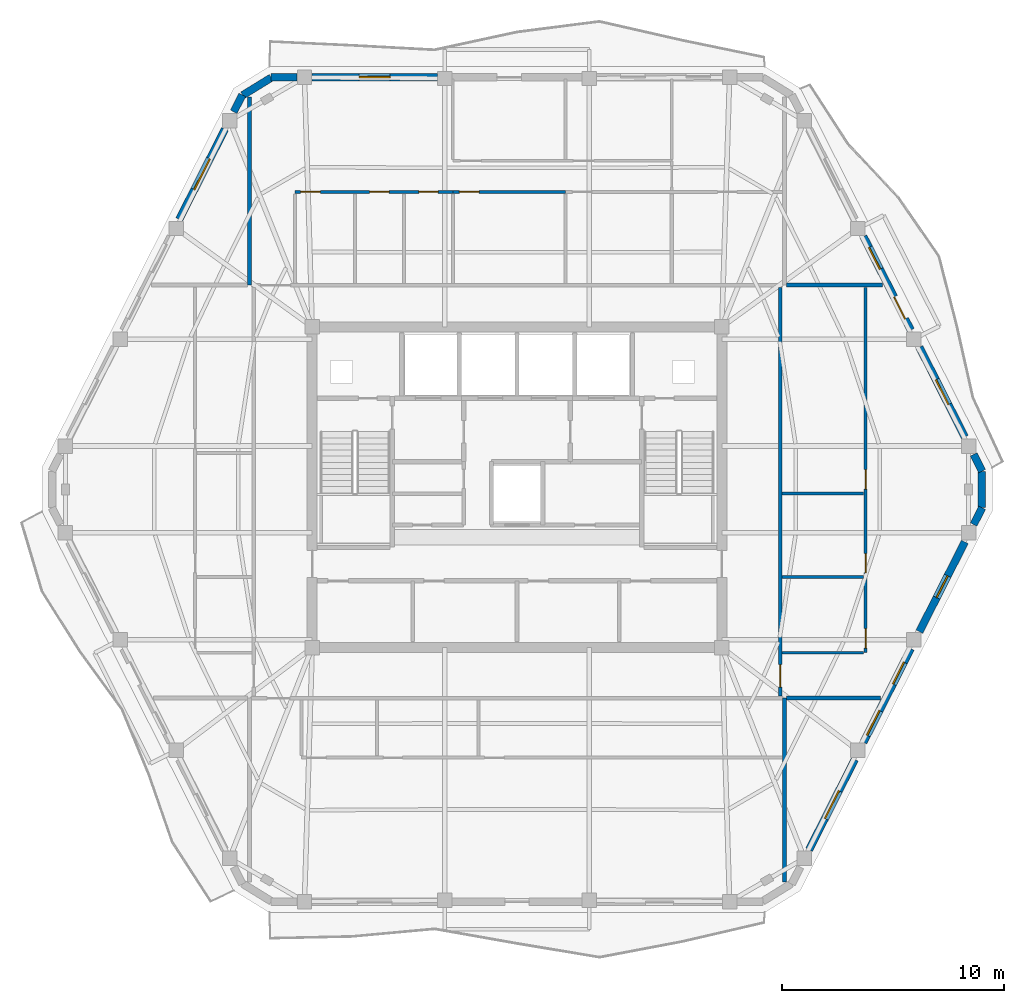
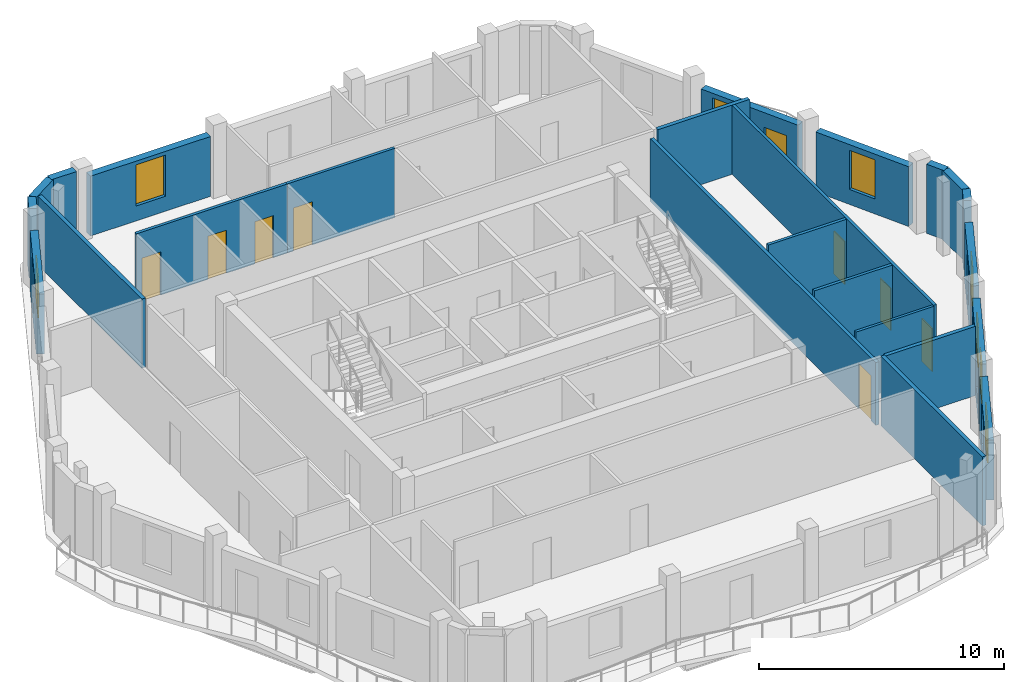
# One storey, part 6 of 10: 24 walls, 9 doors, 8 windows, 17 openings.
"""IFC4 building model written with IfcOpenShell, lengths in metres."""

from ifc_helpers import new_model, si_unit, direction, frame, frame_2d, origin, place, context, subcontext, project, spatial, rectangle, extrude, material, layer, layer_set, type_object, element, fill, save


model = new_model("IFC4")

# Units and contexts
model_context = context("Model", 3, precision=1e-05, world=origin(), true_north=direction((0.0, 1.0)))
body_context = subcontext(model_context, "Body", "Model", "MODEL_VIEW")
ifc_project = project(units=[si_unit("LENGTHUNIT", "METRE"), si_unit("AREAUNIT", "SQUARE_METRE"), si_unit("VOLUMEUNIT", "CUBIC_METRE"), si_unit("PLANEANGLEUNIT", "RADIAN"), si_unit("MASSUNIT", "GRAM", prefix="KILO")], contexts=[model_context])

# Site, building, storey
site_placement = place(None, origin())
site = spatial("IfcSite", under=ifc_project, at=site_placement, CompositionType="ELEMENT")
building_placement = place(site_placement, origin())
building = spatial("IfcBuilding", under=site, at=building_placement, Name="Cinnabar Lancet Tower", CompositionType="ELEMENT")
storey_placement = place(building_placement, frame((0.0, 0.0, 267.14990234375)))
storey = spatial("IfcBuildingStorey", under=building, at=storey_placement, Name="L71", CompositionType="ELEMENT", Elevation=267.14990234375)

# Wall, opening, door
ifc_material_1 = material(Name="Acoustic twin-stud gypsum partition", Category="gypsum")
ifc_layer_1 = layer(ifc_material_1, 0.159912109375)
ifc_layer_set_1 = layer_set([ifc_layer_1], Name="Acoustic twin-stud gypsum partition")
wall_type_1 = type_object("IfcWallType", Name="ARC-WL-CORR-160", PredefinedType="PARTITIONING", material=ifc_layer_set_1)
wall_1_placement = place(storey_placement, frame((44.25, 16.4951171875, 0.0), z_axis=(0.0, 0.0, 1.0), x_axis=(0.0, 1.0, 0.0)))
wall_1 = element("IfcWall", 1, at=wall_1_placement, inside=storey, type_object=wall_type_1, Name="UW-L71-E01-COR", PredefinedType="PARTITIONING", context=body_context, shape_type="SweptSolid", body=[
    extrude(rectangle(XDim=18.409912109375, YDim=0.159912109375, at=frame_2d((9.205078125, 0.0))), origin(), (0.0, 0.0, 1.0), 3.13720703125),
])
opening_1_placement = place(wall_1_placement, frame((0.39990234375, 0.0, 0.0)))
opening_1 = element("IfcOpeningElement", 2, at=opening_1_placement, cuts=wall_1, Name="Opening UD-01", PredefinedType="OPENING", context=body_context, shape_type="SweptSolid", body=[
    extrude(rectangle(XDim=1.02001953125, YDim=2.25, at=frame_2d((0.510009765625, 1.125))), frame((0.0, 0.08984375, 0.0), z_axis=(0.0, -1.0, 0.0), x_axis=(1.0, 0.0, 0.0)), (0.0, 0.0, 1.0), 0.179931640625),
])
ifc_material_2 = material(Name="Solid timber fire-rated apartment entrance door", Category="wood")
door_type_1 = type_object("IfcDoorType", Name="ARC-DR-UNIT", OperationType="NOTDEFINED", PredefinedType="DOOR", material=ifc_material_2)
door_1_placement = place(opening_1_placement, origin())
door_1 = element("IfcDoor", 3, at=door_1_placement, inside=storey, type_object=door_type_1, Name="DR-L71-E01-ENT", OperationType="SINGLE_SWING_RIGHT", OverallHeight=2.25, OverallWidth=1.02001953125, PredefinedType="DOOR", context=body_context, shape_type="SweptSolid", body=[
    extrude(rectangle(XDim=1.02001953125, YDim=2.25, at=frame_2d((0.510009765625, 1.125))), frame((0.0, 0.02490234375, 0.0), z_axis=(0.0, -1.0, 0.0), x_axis=(1.0, 0.0, 0.0)), (0.0, 0.0, 1.0), 0.050048828125),
])
fill(opening_1, door_1)

# Walls
ifc_material_3 = material(Name="Fire-rated twin-frame acoustic drywall", Category="gypsum")
ifc_layer_2 = layer(ifc_material_3, 0.179931640625)
ifc_layer_set_2 = layer_set([ifc_layer_2], Name="Fire-rated twin-frame acoustic drywall")
wall_type_2 = type_object("IfcWallType", Name="ARC-WL-PARTY-180", PredefinedType="PARTITIONING", material=ifc_layer_set_2)
wall_2_placement = place(storey_placement, frame((44.449951171875, 8.118896484375, 0.0), z_axis=(0.0, 0.0, 1.0), x_axis=(0.0, 1.0, 0.0)))
element("IfcWall", 4, at=wall_2_placement, inside=storey, type_object=wall_type_2, Name="PW-L71-SPTY-444", PredefinedType="PARTITIONING", context=body_context, shape_type="SweptSolid", body=[
    extrude(rectangle(XDim=8.281005859375, YDim=0.179931640625, at=frame_2d((4.140625, 0.0))), origin(), (0.0, 0.0, 1.0), 3.4501953125),
])
wall_3_placement = place(storey_placement, frame((20.35009765625, 35.0, 0.0), z_axis=(0.0, 0.0, 1.0), x_axis=(0.0, 1.0, 0.0)))
element("IfcWall", 5, at=wall_3_placement, inside=storey, type_object=wall_type_2, Name="PW-L71-NPTY-204", PredefinedType="PARTITIONING", context=body_context, shape_type="SweptSolid", body=[
    extrude(rectangle(XDim=8.48095703125, YDim=0.179931640625, at=frame_2d((4.240478515625, 0.0))), origin(), (0.0, 0.0, 1.0), 3.4501953125),
])
wall_4_placement = place(storey_placement, frame((44.544921875, 16.39990234375, 0.0), z_axis=(0.0, 0.0, 1.0), x_axis=(1.0, 0.0, 0.0)))
element("IfcWall", 6, at=wall_4_placement, inside=storey, type_object=wall_type_2, Name="PW-L71-ESB", PredefinedType="PARTITIONING", context=body_context, shape_type="SweptSolid", body=[
    extrude(rectangle(XDim=4.22119140625, YDim=0.179931640625, at=frame_2d((2.110595703125, 0.0))), origin(), (0.0, 0.0, 1.0), 3.4501953125),
])
wall_5_placement = place(storey_placement, frame((44.544921875, 35.0, 0.0), z_axis=(0.0, 0.0, 1.0), x_axis=(1.0, 0.0, 0.0)))
element("IfcWall", 7, at=wall_5_placement, inside=storey, type_object=wall_type_2, Name="PW-L71-ENB", PredefinedType="PARTITIONING", context=body_context, shape_type="SweptSolid", body=[
    extrude(rectangle(XDim=4.322021484375, YDim=0.179931640625, at=frame_2d((2.1611328125, 0.0))), origin(), (0.0, 0.0, 1.0), 3.4501953125),
])
ifc_material_4 = material(Name="Gypsum plasterboard stud partition", Category="gypsum")
ifc_layer_3 = layer(ifc_material_4, 0.125)
ifc_layer_set_3 = layer_set([ifc_layer_3], Name="Gypsum plasterboard stud partition")
wall_type_3 = type_object("IfcWallType", Name="ARC-WL-UNIT-125", PredefinedType="PARTITIONING", material=ifc_layer_set_3)
wall_6_placement = place(storey_placement, frame((44.3349609375, 18.449951171875, 0.0), z_axis=(0.0, 0.0, 1.0), x_axis=(1.0, 0.0, 0.0)))
element("IfcWall", 8, at=wall_6_placement, inside=storey, type_object=wall_type_3, Name="UW-L71-E01-FOYN", PredefinedType="PARTITIONING", context=body_context, shape_type="SweptSolid", body=[
    extrude(rectangle(XDim=3.679931640625, YDim=0.125, at=frame_2d((1.83984375, 0.0))), origin(), (0.0, 0.0, 1.0), 3.4501953125),
])

# Wall, openings, doors
ifc_material_5 = material(Name="Moisture-resistant cement-board plumbing wall", Category="masonry")
ifc_layer_4 = layer(ifc_material_5, 0.139892578125)
ifc_layer_set_4 = layer_set([ifc_layer_4], Name="Moisture-resistant cement-board plumbing wall")
wall_type_4 = type_object("IfcWallType", Name="ARC-WL-WET-140", PredefinedType="PLUMBINGWALL", material=ifc_layer_set_4)
wall_7_placement = place(storey_placement, frame((22.39990234375, 39.200927734375, 0.0), z_axis=(0.0, 0.0, 1.0), x_axis=(1.0, 0.0, 0.0)))
wall_7 = element("IfcWall", 9, at=wall_7_placement, inside=storey, type_object=wall_type_4, Name="UW-L71-N01-SPL", PredefinedType="PLUMBINGWALL", context=body_context, shape_type="SweptSolid", body=[
    extrude(rectangle(XDim=7.108154296875, YDim=0.139892578125, at=frame_2d((3.55419921875, 0.0))), origin(), (0.0, 0.0, 1.0), 3.4501953125),
])
opening_2_placement = place(wall_7_placement, frame((5.58203125, 0.0, 0.0)))
opening_2 = element("IfcOpeningElement", 10, at=opening_2_placement, cuts=wall_7, Name="Opening BD-01", PredefinedType="OPENING", context=body_context, shape_type="SweptSolid", body=[
    extrude(rectangle(XDim=0.860107421875, YDim=2.10009765625, at=frame_2d((0.43017578125, 1.050048828125))), frame((0.0, 0.079833984375, 0.0), z_axis=(0.0, -1.0, 0.0), x_axis=(1.0, 0.0, 0.0)), (0.0, 0.0, 1.0), 0.159912109375),
])
opening_3_placement = place(wall_7_placement, frame((0.260009765625, 0.0, 0.0)))
opening_3 = element("IfcOpeningElement", 11, at=opening_3_placement, cuts=wall_7, Name="Opening RD-02", PredefinedType="OPENING", context=body_context, shape_type="SweptSolid", body=[
    extrude(rectangle(XDim=0.8798828125, YDim=2.14990234375, at=frame_2d((0.43994140625, 1.074951171875))), frame((0.0, 0.079833984375, 0.0), z_axis=(0.0, -1.0, 0.0), x_axis=(1.0, 0.0, 0.0)), (0.0, 0.0, 1.0), 0.159912109375),
])
opening_4_placement = place(wall_7_placement, frame((3.363037109375, 0.0, 0.0)))
opening_4 = element("IfcOpeningElement", 12, at=opening_4_placement, cuts=wall_7, Name="Opening RD-02", PredefinedType="OPENING", context=body_context, shape_type="SweptSolid", body=[
    extrude(rectangle(XDim=0.8798828125, YDim=2.14990234375, at=frame_2d((0.43994140625, 1.074951171875))), frame((0.0, 0.079833984375, 0.0), z_axis=(0.0, -1.0, 0.0), x_axis=(1.0, 0.0, 0.0)), (0.0, 0.0, 1.0), 0.159912109375),
])
ifc_material_6 = material(Name="Moisture-resistant timber bathroom door", Category="wood")
door_type_2 = type_object("IfcDoorType", Name="ARC-DR-BATH", OperationType="NOTDEFINED", PredefinedType="DOOR", material=ifc_material_6)
door_2_placement = place(opening_2_placement, origin())
door_2 = element("IfcDoor", 13, at=door_2_placement, inside=storey, type_object=door_type_2, Name="DR-L71-N01-BTH", OperationType="SINGLE_SWING_LEFT", OverallHeight=2.10009765625, OverallWidth=0.860107421875, PredefinedType="DOOR", context=body_context, shape_type="SweptSolid", body=[
    extrude(rectangle(XDim=0.860107421875, YDim=2.10009765625, at=frame_2d((0.43017578125, 1.050048828125))), frame((0.0, 0.02490234375, 0.0), z_axis=(0.0, -1.0, 0.0), x_axis=(1.0, 0.0, 0.0)), (0.0, 0.0, 1.0), 0.050048828125),
])
fill(opening_2, door_2)
ifc_material_7 = material(Name="Engineered timber study door", Category="wood")
door_type_3 = type_object("IfcDoorType", Name="ARC-DR-STUDY", OperationType="NOTDEFINED", PredefinedType="DOOR", material=ifc_material_7)
door_3_placement = place(opening_3_placement, origin())
door_3 = element("IfcDoor", 14, at=door_3_placement, inside=storey, type_object=door_type_3, Name="DR-L71-N01-KIT", OperationType="SINGLE_SWING_LEFT", OverallHeight=2.14990234375, OverallWidth=0.8798828125, PredefinedType="DOOR", context=body_context, shape_type="SweptSolid", body=[
    extrude(rectangle(XDim=0.8798828125, YDim=2.14990234375, at=frame_2d((0.43994140625, 1.074951171875))), frame((0.0, 0.02490234375, 0.0), z_axis=(0.0, -1.0, 0.0), x_axis=(1.0, 0.0, 0.0)), (0.0, 0.0, 1.0), 0.050048828125),
])
fill(opening_3, door_3)
door_4_placement = place(opening_4_placement, origin())
door_4 = element("IfcDoor", 15, at=door_4_placement, inside=storey, type_object=door_type_3, Name="DR-L71-N01-STD", OperationType="SINGLE_SWING_RIGHT", OverallHeight=2.14990234375, OverallWidth=0.8798828125, PredefinedType="DOOR", context=body_context, shape_type="SweptSolid", body=[
    extrude(rectangle(XDim=0.8798828125, YDim=2.14990234375, at=frame_2d((0.43994140625, 1.074951171875))), frame((0.0, 0.02490234375, 0.0), z_axis=(0.0, -1.0, 0.0), x_axis=(1.0, 0.0, 0.0)), (0.0, 0.0, 1.0), 0.050048828125),
])
fill(opening_4, door_4)

# Wall, opening, door
wall_8_placement = place(storey_placement, frame((29.508056640625, 39.200927734375, 0.0), z_axis=(0.0, 0.0, 1.0), x_axis=(1.0, 0.0, 0.0)))
wall_8 = element("IfcWall", 16, at=wall_8_placement, inside=storey, type_object=wall_type_4, Name="UW-L71-N01-SPM", PredefinedType="PLUMBINGWALL", context=body_context, shape_type="SweptSolid", body=[
    extrude(rectangle(XDim=5.079833984375, YDim=0.139892578125, at=frame_2d((2.5400390625, 0.0))), origin(), (0.0, 0.0, 1.0), 3.4501953125),
])
opening_5_placement = place(wall_8_placement, frame((0.300048828125, 0.0, 0.0)))
opening_5 = element("IfcOpeningElement", 17, at=opening_5_placement, cuts=wall_8, Name="Opening RD-02", PredefinedType="OPENING", context=body_context, shape_type="SweptSolid", body=[
    extrude(rectangle(XDim=0.8798828125, YDim=2.14990234375, at=frame_2d((0.43994140625, 1.074951171875))), frame((0.0, 0.079833984375, 0.0), z_axis=(0.0, -1.0, 0.0), x_axis=(1.0, 0.0, 0.0)), (0.0, 0.0, 1.0), 0.159912109375),
])
door_5_placement = place(opening_5_placement, origin())
door_5 = element("IfcDoor", 18, at=door_5_placement, inside=storey, type_object=door_type_3, Name="DR-L71-N01-UTL", OperationType="SINGLE_SWING_RIGHT", OverallHeight=2.14990234375, OverallWidth=0.8798828125, PredefinedType="DOOR", context=body_context, shape_type="SweptSolid", body=[
    extrude(rectangle(XDim=0.8798828125, YDim=2.14990234375, at=frame_2d((0.43994140625, 1.074951171875))), frame((0.0, 0.02490234375, 0.0), z_axis=(0.0, -1.0, 0.0), x_axis=(1.0, 0.0, 0.0)), (0.0, 0.0, 1.0), 0.050048828125),
])
fill(opening_5, door_5)

# Wall, openings, doors
wall_9_placement = place(storey_placement, frame((48.10009765625, 18.449951171875, 0.0), z_axis=(0.0, 0.0, 1.0), x_axis=(0.0, 1.0, 0.0)))
wall_9 = element("IfcWall", 19, at=wall_9_placement, inside=storey, type_object=wall_type_4, Name="UW-L71-E01-SPL", PredefinedType="PLUMBINGWALL", context=body_context, shape_type="SweptSolid", body=[
    extrude(rectangle(XDim=16.455078125, YDim=0.139892578125, at=frame_2d((8.2275390625, 0.0))), origin(), (0.0, 0.0, 1.0), 3.4501953125),
])
opening_6_placement = place(wall_9_placement, frame((3.60009765625, 0.0, 0.0)))
opening_6 = element("IfcOpeningElement", 20, at=opening_6_placement, cuts=wall_9, Name="Opening BD-01", PredefinedType="OPENING", context=body_context, shape_type="SweptSolid", body=[
    extrude(rectangle(XDim=0.860107421875, YDim=2.10009765625, at=frame_2d((0.43017578125, 1.050048828125))), frame((0.0, 0.079833984375, 0.0), z_axis=(0.0, -1.0, 0.0), x_axis=(1.0, 0.0, 0.0)), (0.0, 0.0, 1.0), 0.159912109375),
])
opening_7_placement = place(wall_9_placement, frame((7.360107421875, 0.0, 0.0)))
opening_7 = element("IfcOpeningElement", 21, at=opening_7_placement, cuts=wall_9, Name="Opening RD-02", PredefinedType="OPENING", context=body_context, shape_type="SweptSolid", body=[
    extrude(rectangle(XDim=0.8798828125, YDim=2.14990234375, at=frame_2d((0.43994140625, 1.074951171875))), frame((0.0, 0.079833984375, 0.0), z_axis=(0.0, -1.0, 0.0), x_axis=(1.0, 0.0, 0.0)), (0.0, 0.0, 1.0), 0.159912109375),
])
opening_8_placement = place(wall_9_placement, frame((0.199951171875, 0.0, 0.0)))
opening_8 = element("IfcOpeningElement", 22, at=opening_8_placement, cuts=wall_9, Name="Opening RD-02", PredefinedType="OPENING", context=body_context, shape_type="SweptSolid", body=[
    extrude(rectangle(XDim=0.8798828125, YDim=2.14990234375, at=frame_2d((0.43994140625, 1.074951171875))), frame((0.0, 0.079833984375, 0.0), z_axis=(0.0, -1.0, 0.0), x_axis=(1.0, 0.0, 0.0)), (0.0, 0.0, 1.0), 0.159912109375),
])
door_6_placement = place(opening_6_placement, origin())
door_6 = element("IfcDoor", 23, at=door_6_placement, inside=storey, type_object=door_type_2, Name="DR-L71-E01-BTH", OperationType="SINGLE_SWING_RIGHT", OverallHeight=2.10009765625, OverallWidth=0.860107421875, PredefinedType="DOOR", context=body_context, shape_type="SweptSolid", body=[
    extrude(rectangle(XDim=0.860107421875, YDim=2.10009765625, at=frame_2d((0.43017578125, 1.050048828125))), frame((0.0, 0.02490234375, 0.0), z_axis=(0.0, -1.0, 0.0), x_axis=(1.0, 0.0, 0.0)), (0.0, 0.0, 1.0), 0.050048828125),
])
fill(opening_6, door_6)
door_7_placement = place(opening_7_placement, origin())
door_7 = element("IfcDoor", 24, at=door_7_placement, inside=storey, type_object=door_type_3, Name="DR-L71-E01-WDR", OperationType="SINGLE_SWING_LEFT", OverallHeight=2.14990234375, OverallWidth=0.8798828125, PredefinedType="DOOR", context=body_context, shape_type="SweptSolid", body=[
    extrude(rectangle(XDim=0.8798828125, YDim=2.14990234375, at=frame_2d((0.43994140625, 1.074951171875))), frame((0.0, 0.02490234375, 0.0), z_axis=(0.0, -1.0, 0.0), x_axis=(1.0, 0.0, 0.0)), (0.0, 0.0, 1.0), 0.050048828125),
])
fill(opening_7, door_7)
door_8_placement = place(opening_8_placement, origin())
door_8 = element("IfcDoor", 25, at=door_8_placement, inside=storey, type_object=door_type_3, Name="DR-L71-E01-KIT", OperationType="SINGLE_SWING_LEFT", OverallHeight=2.14990234375, OverallWidth=0.8798828125, PredefinedType="DOOR", context=body_context, shape_type="SweptSolid", body=[
    extrude(rectangle(XDim=0.8798828125, YDim=2.14990234375, at=frame_2d((0.43994140625, 1.074951171875))), frame((0.0, 0.02490234375, 0.0), z_axis=(0.0, -1.0, 0.0), x_axis=(1.0, 0.0, 0.0)), (0.0, 0.0, 1.0), 0.050048828125),
])
fill(opening_8, door_8)

# Walls
for number, where, z_axis, x_axis, name in (
    (26, (44.3349609375, 21.85009765625, 0.0), (0.0, 0.0, 1.0), (1.0, 0.0, 0.0), "UW-L71-E01-KDV"),
    (27, (44.3349609375, 25.610107421875, 0.0), (0.0, 0.0, 1.0), (1.0, 0.0, 0.0), "UW-L71-E01-BWDV"),
):
    element("IfcWall", number, at=place(storey_placement, frame(where, z_axis=z_axis, x_axis=x_axis)), inside=storey, type_object=wall_type_4, Name=name, PredefinedType="PLUMBINGWALL", context=body_context, shape_type="SweptSolid", body=[
        extrude(rectangle(XDim=3.679931640625, YDim=0.139892578125, at=frame_2d((1.83984375, 0.0))), origin(), (0.0, 0.0, 1.0), 3.4501953125),
    ])
ifc_material_8 = material(Name="Cinnabar red clay brick", Category="masonry")
ifc_layer_5 = layer(ifc_material_8, 0.340087890625)
ifc_layer_set_5 = layer_set([ifc_layer_5], Name="Cinnabar red clay brick")
wall_type_5 = type_object("IfcWallType", Name="ENV-WL-BRK-RED-340", PredefinedType="STANDARD", material=ifc_layer_set_5)
wall_10_placement = place(storey_placement, frame((53.322998046875, 24.97998046875, 0.0), z_axis=(0.0, 0.0, 1.0), x_axis=(0.0, 1.0, 0.0)))
element("IfcWall", 28, at=wall_10_placement, inside=storey, type_object=wall_type_5, Name="L71 Chamfered Corner Brick Pier 3.1", PredefinedType="STANDARD", context=body_context, shape_type="SweptSolid", body=[
    extrude(rectangle(XDim=1.64013671875, YDim=0.340087890625, at=frame_2d((0.820068359375, 0.0))), origin(), (0.0, 0.0, 1.0), 3.4501953125),
])
wall_11_placement = place(storey_placement, frame((21.3310546875, 44.344970703125, 0.0), z_axis=(0.0, 0.0, 1.0), x_axis=(-0.851680557619, -0.52406128246, 0.0)))
element("IfcWall", 29, at=wall_11_placement, inside=storey, type_object=wall_type_5, Name="L71 Chamfered Corner Brick Pier 5.1", PredefinedType="STANDARD", context=body_context, shape_type="SweptSolid", body=[
    extrude(rectangle(XDim=1.507568359375, YDim=0.340087890625, at=frame_2d((0.75390625, 0.0))), origin(), (0.0, 0.0, 1.0), 3.4501953125),
])

# Wall, opening, window
wall_12_placement = place(storey_placement, frame((45.555908203125, 9.576904296875, 0.0), z_axis=(0.0, 0.0, 1.0), x_axis=(0.45154039276, 0.892250678737, 0.0)))
wall_12 = element("IfcWall", 30, at=wall_12_placement, inside=storey, type_object=wall_type_5, Name="L71 Face 2 Masonry Bay Wall 2", PredefinedType="STANDARD", context=body_context, shape_type="SweptSolid", body=[
    extrude(rectangle(XDim=4.5537109375, YDim=0.340087890625, at=frame_2d((2.27685546875, 0.0))), origin(), (0.0, 0.0, 1.0), 2.983154296875),
])
opening_9_placement = place(wall_12_placement, frame((1.576904296875, 0.0, 0.75)))
opening_9 = element("IfcOpeningElement", 31, at=opening_9_placement, cuts=wall_12, Name="Opening WN-02", PredefinedType="OPENING", context=body_context, shape_type="SweptSolid", body=[
    extrude(rectangle(XDim=1.39990234375, YDim=2.050048828125, at=frame_2d((0.699951171875, 1.02490234375))), frame((0.0, 0.179931640625, 0.0), z_axis=(0.0, -1.0, 0.0), x_axis=(1.0, 0.0, 0.0)), (0.0, 0.0, 1.0), 0.360107421875),
])
ifc_material_9 = material(Name="Thermally broken bronze-anodized aluminium low-E double glazing", Category="aluminium")
window_type_1 = type_object("IfcWindowType", Name="ENV-WN-LANCET-1400", PartitioningType="SINGLE_PANEL", PredefinedType="WINDOW", material=ifc_material_9)
window_1_placement = place(opening_9_placement, origin())
window_1 = element("IfcWindow", 32, at=window_1_placement, inside=storey, type_object=window_type_1, Name="L71 Face 2 Gothic Lancet Window 2", OverallHeight=2.050048828125, OverallWidth=1.39990234375, PartitioningType="SINGLE_PANEL", PredefinedType="WINDOW", context=body_context, shape_type="SweptSolid", body=[
    extrude(rectangle(XDim=1.39990234375, YDim=2.050048828125, at=frame_2d((0.699951171875, 1.02490234375))), frame((0.0, 0.030029296875, 0.0), z_axis=(0.0, -1.0, 0.0), x_axis=(1.0, 0.0, 0.0)), (0.0, 0.0, 1.0), 0.06005859375),
])
fill(opening_9, window_1)

# Wall, openings, windows
wall_13_placement = place(storey_placement, frame((48.001953125, 14.4130859375, 0.0), z_axis=(0.0, 0.0, 1.0), x_axis=(0.451468341582, 0.892287137949, 0.0)))
wall_13 = element("IfcWall", 33, at=wall_13_placement, inside=storey, type_object=wall_type_5, Name="L71 Face 2 Masonry Bay Wall 3", PredefinedType="STANDARD", context=body_context, shape_type="SweptSolid", body=[
    extrude(rectangle(XDim=4.72265625, YDim=0.340087890625, at=frame_2d((2.361328125, 0.0))), origin(), (0.0, 0.0, 1.0), 2.983154296875),
])
opening_10_placement = place(wall_13_placement, frame((0.35888671875, 0.0, 0.75)))
opening_10 = element("IfcOpeningElement", 34, at=opening_10_placement, cuts=wall_13, Name="Opening WN-03", PredefinedType="OPENING", context=body_context, shape_type="SweptSolid", body=[
    extrude(rectangle(XDim=1.25, YDim=1.949951171875, at=frame_2d((0.625, 0.97509765625))), frame((0.0, 0.179931640625, 0.0), z_axis=(0.0, -1.0, 0.0), x_axis=(1.0, 0.0, 0.0)), (0.0, 0.0, 1.0), 0.360107421875),
])
opening_11_placement = place(wall_13_placement, frame((2.946044921875, 0.0, 0.75)))
opening_11 = element("IfcOpeningElement", 35, at=opening_11_placement, cuts=wall_13, Name="Opening WN-04", PredefinedType="OPENING", context=body_context, shape_type="SweptSolid", body=[
    extrude(rectangle(XDim=1.10009765625, YDim=2.0, at=frame_2d((0.550048828125, 1.0))), frame((0.0, 0.179931640625, 0.0), z_axis=(0.0, -1.0, 0.0), x_axis=(1.0, 0.0, 0.0)), (0.0, 0.0, 1.0), 0.360107421875),
])
ifc_material_10 = material(Name="Thermally broken bronze-anodized aluminium tall lancet window", Category="aluminium")
window_type_2 = type_object("IfcWindowType", Name="ENV-WN-LANCET-1100", PartitioningType="SINGLE_PANEL", PredefinedType="WINDOW", material=ifc_material_10)
window_2_placement = place(opening_11_placement, origin())
window_2 = element("IfcWindow", 36, at=window_2_placement, inside=storey, type_object=window_type_2, Name="L71 Split-Bay Gothic Lancet Window 263", OverallHeight=2.0, OverallWidth=1.10009765625, PartitioningType="SINGLE_PANEL", PredefinedType="WINDOW", context=body_context, shape_type="SweptSolid", body=[
    extrude(rectangle(XDim=1.10009765625, YDim=2.0, at=frame_2d((0.550048828125, 1.0))), frame((0.0, 0.030029296875, 0.0), z_axis=(0.0, -1.0, 0.0), x_axis=(1.0, 0.0, 0.0)), (0.0, 0.0, 1.0), 0.06005859375),
])
fill(opening_11, window_2)
ifc_material_11 = material(Name="Thermally broken bronze-anodized aluminium low-E double glazing", Category="aluminium")
window_type_3 = type_object("IfcWindowType", Name="ENV-WN-LANCET-1250", PartitioningType="SINGLE_PANEL", PredefinedType="WINDOW", material=ifc_material_11)
window_3_placement = place(opening_10_placement, origin())
window_3 = element("IfcWindow", 37, at=window_3_placement, inside=storey, type_object=window_type_3, Name="L71 Face 2 Gothic Lancet Window 3", OverallHeight=1.949951171875, OverallWidth=1.25, PartitioningType="SINGLE_PANEL", PredefinedType="WINDOW", context=body_context, shape_type="SweptSolid", body=[
    extrude(rectangle(XDim=1.25, YDim=1.949951171875, at=frame_2d((0.625, 0.97509765625))), frame((0.0, 0.030029296875, 0.0), z_axis=(0.0, -1.0, 0.0), x_axis=(1.0, 0.0, 0.0)), (0.0, 0.0, 1.0), 0.06005859375),
])
fill(opening_10, window_3)

# Wall, opening, window
wall_14_placement = place(storey_placement, frame((50.52294921875, 19.39697265625, 0.0), z_axis=(0.0, 0.0, 1.0), x_axis=(0.45147697324, 0.892282770558, 0.0)))
wall_14 = element("IfcWall", 38, at=wall_14_placement, inside=storey, type_object=wall_type_5, Name="L71 Face 2 Masonry Bay Wall 4", PredefinedType="STANDARD", context=body_context, shape_type="SweptSolid", body=[
    extrude(rectangle(XDim=4.530029296875, YDim=0.340087890625, at=frame_2d((2.26513671875, 0.0))), origin(), (0.0, 0.0, 1.0), 2.983154296875),
])
opening_12_placement = place(wall_14_placement, frame((1.715087890625, 0.0, 0.75)))
opening_12 = element("IfcOpeningElement", 39, at=opening_12_placement, cuts=wall_14, Name="Opening WN-04", PredefinedType="OPENING", context=body_context, shape_type="SweptSolid", body=[
    extrude(rectangle(XDim=1.10009765625, YDim=2.0, at=frame_2d((0.550048828125, 1.0))), frame((0.0, 0.179931640625, 0.0), z_axis=(0.0, -1.0, 0.0), x_axis=(1.0, 0.0, 0.0)), (0.0, 0.0, 1.0), 0.360107421875),
])
window_4_placement = place(opening_12_placement, origin())
window_4 = element("IfcWindow", 40, at=window_4_placement, inside=storey, type_object=window_type_2, Name="L71 Face 2 Gothic Lancet Window 4", OverallHeight=2.0, OverallWidth=1.10009765625, PartitioningType="SINGLE_PANEL", PredefinedType="WINDOW", context=body_context, shape_type="SweptSolid", body=[
    extrude(rectangle(XDim=1.10009765625, YDim=2.0, at=frame_2d((0.550048828125, 1.0))), frame((0.0, 0.030029296875, 0.0), z_axis=(0.0, -1.0, 0.0), x_axis=(1.0, 0.0, 0.0)), (0.0, 0.0, 1.0), 0.06005859375),
])
fill(opening_12, window_4)

# Walls
wall_15_placement = place(storey_placement, frame((52.965087890625, 24.22412109375, 0.0), z_axis=(0.0, 0.0, 1.0), x_axis=(0.4515140893, 0.892263989615, 0.0)))
element("IfcWall", 41, at=wall_15_placement, inside=storey, type_object=wall_type_5, Name="L71 Face 2 Masonry Bay Wall 5", PredefinedType="STANDARD", context=body_context, shape_type="SweptSolid", body=[
    extrude(rectangle(XDim=0.839111328125, YDim=0.340087890625, at=frame_2d((0.41943359375, 0.0))), origin(), (0.0, 0.0, 1.0), 3.4501953125),
])
wall_16_placement = place(storey_placement, frame((53.343994140625, 26.626953125, 0.0), z_axis=(0.0, 0.0, 1.0), x_axis=(-0.45139691133, 0.892323275748, 0.0)))
element("IfcWall", 42, at=wall_16_placement, inside=storey, type_object=wall_type_5, Name="L71 Face 3 Masonry Bay Wall 1", PredefinedType="STANDARD", context=body_context, shape_type="SweptSolid", body=[
    extrude(rectangle(XDim=0.83935546875, YDim=0.340087890625, at=frame_2d((0.419677734375, 0.0))), origin(), (0.0, 0.0, 1.0), 3.4501953125),
])

# Wall, opening, window
wall_17_placement = place(storey_placement, frame((52.568115234375, 28.160888671875, 0.0), z_axis=(0.0, 0.0, 1.0), x_axis=(-0.45147697324, 0.892282770558, 0.0)))
wall_17 = element("IfcWall", 43, at=wall_17_placement, inside=storey, type_object=wall_type_5, Name="L71 Face 3 Masonry Bay Wall 2", PredefinedType="STANDARD", context=body_context, shape_type="SweptSolid", body=[
    extrude(rectangle(XDim=4.530029296875, YDim=0.340087890625, at=frame_2d((2.26513671875, 0.0))), origin(), (0.0, 0.0, 1.0), 2.983154296875),
])
opening_13_placement = place(wall_17_placement, frame((1.639892578125, 0.0, 0.75)))
opening_13 = element("IfcOpeningElement", 44, at=opening_13_placement, cuts=wall_17, Name="Opening WN-03", PredefinedType="OPENING", context=body_context, shape_type="SweptSolid", body=[
    extrude(rectangle(XDim=1.25, YDim=1.949951171875, at=frame_2d((0.625, 0.97509765625))), frame((0.0, 0.179931640625, 0.0), z_axis=(0.0, -1.0, 0.0), x_axis=(1.0, 0.0, 0.0)), (0.0, 0.0, 1.0), 0.360107421875),
])
window_5_placement = place(opening_13_placement, origin())
window_5 = element("IfcWindow", 45, at=window_5_placement, inside=storey, type_object=window_type_3, Name="L71 Face 3 Gothic Lancet Window 2", OverallHeight=1.949951171875, OverallWidth=1.25, PartitioningType="SINGLE_PANEL", PredefinedType="WINDOW", context=body_context, shape_type="SweptSolid", body=[
    extrude(rectangle(XDim=1.25, YDim=1.949951171875, at=frame_2d((0.625, 0.97509765625))), frame((0.0, 0.030029296875, 0.0), z_axis=(0.0, -1.0, 0.0), x_axis=(1.0, 0.0, 0.0)), (0.0, 0.0, 1.0), 0.06005859375),
])
fill(opening_13, window_5)

# Wall, openings, door, window
wall_18_placement = place(storey_placement, frame((50.134033203125, 32.972900390625, 0.0), z_axis=(0.0, 0.0, 1.0), x_axis=(-0.451447516904, 0.892297674255, 0.0)))
wall_18 = element("IfcWall", 46, at=wall_18_placement, inside=storey, type_object=wall_type_5, Name="L71 Face 3 Masonry Bay Wall 3", PredefinedType="STANDARD", context=body_context, shape_type="SweptSolid", body=[
    extrude(rectangle(XDim=4.72265625, YDim=0.340087890625, at=frame_2d((2.361328125, 0.0))), origin(), (0.0, 0.0, 1.0), 2.983154296875),
])
opening_14_placement = place(wall_18_placement, frame((0.570068359375, 0.0, 0.0)))
opening_14 = element("IfcOpeningElement", 47, at=opening_14_placement, cuts=wall_18, Name="Opening TD-01", PredefinedType="OPENING", context=body_context, shape_type="SweptSolid", body=[
    extrude(rectangle(XDim=1.10009765625, YDim=2.25, at=frame_2d((0.550048828125, 1.125))), frame((0.0, 0.179931640625, 0.0), z_axis=(0.0, -1.0, 0.0), x_axis=(1.0, 0.0, 0.0)), (0.0, 0.0, 1.0), 0.360107421875),
])
opening_15_placement = place(wall_18_placement, frame((3.076904296875, 0.0, 0.75)))
opening_15 = element("IfcOpeningElement", 48, at=opening_15_placement, cuts=wall_18, Name="Opening WN-04", PredefinedType="OPENING", context=body_context, shape_type="SweptSolid", body=[
    extrude(rectangle(XDim=1.10009765625, YDim=2.0, at=frame_2d((0.550048828125, 1.0))), frame((0.0, 0.179931640625, 0.0), z_axis=(0.0, -1.0, 0.0), x_axis=(1.0, 0.0, 0.0)), (0.0, 0.0, 1.0), 0.360107421875),
])
ifc_material_12 = material(Name="Thermally broken low-E glazed balcony terrace door", Category="wood")
door_type_4 = type_object("IfcDoorType", Name="ARC-DR-BALC", OperationType="NOTDEFINED", PredefinedType="DOOR", material=ifc_material_12)
door_9_placement = place(opening_14_placement, origin())
door_9 = element("IfcDoor", 49, at=door_9_placement, inside=storey, type_object=door_type_4, Name="L71 Face 3 Glazed Terrace Door", OperationType="SINGLE_SWING_RIGHT", OverallHeight=2.25, OverallWidth=1.10009765625, PredefinedType="DOOR", context=body_context, shape_type="SweptSolid", body=[
    extrude(rectangle(XDim=1.10009765625, YDim=2.25, at=frame_2d((0.550048828125, 1.125))), frame((0.0, 0.02490234375, 0.0), z_axis=(0.0, -1.0, 0.0), x_axis=(1.0, 0.0, 0.0)), (0.0, 0.0, 1.0), 0.050048828125),
])
fill(opening_14, door_9)
window_6_placement = place(opening_15_placement, origin())
window_6 = element("IfcWindow", 50, at=window_6_placement, inside=storey, type_object=window_type_2, Name="L71 Split-Bay Gothic Lancet Window 264", OverallHeight=2.0, OverallWidth=1.10009765625, PartitioningType="SINGLE_PANEL", PredefinedType="WINDOW", context=body_context, shape_type="SweptSolid", body=[
    extrude(rectangle(XDim=1.10009765625, YDim=2.0, at=frame_2d((0.550048828125, 1.0))), frame((0.0, 0.030029296875, 0.0), z_axis=(0.0, -1.0, 0.0), x_axis=(1.0, 0.0, 0.0)), (0.0, 0.0, 1.0), 0.06005859375),
])
fill(opening_15, window_6)

# Wall, opening, window
wall_19_placement = place(storey_placement, frame((28.81689453125, 44.3701171875, 0.0), z_axis=(0.0, 0.0, 1.0), x_axis=(-1.0, 0.0, 0.0)))
wall_19 = element("IfcWall", 51, at=wall_19_placement, inside=storey, type_object=wall_type_5, Name="L71 Face 4 Masonry Bay Wall 4", PredefinedType="STANDARD", context=body_context, shape_type="SweptSolid", body=[
    extrude(rectangle(XDim=5.659912109375, YDim=0.340087890625, at=frame_2d((2.830078125, 0.0))), origin(), (0.0, 0.0, 1.0), 2.983154296875),
])
opening_16_placement = place(wall_19_placement, frame((2.1298828125, 0.0, 0.75)))
opening_16 = element("IfcOpeningElement", 52, at=opening_16_placement, cuts=wall_19, Name="Opening WN-02", PredefinedType="OPENING", context=body_context, shape_type="SweptSolid", body=[
    extrude(rectangle(XDim=1.39990234375, YDim=2.050048828125, at=frame_2d((0.699951171875, 1.02490234375))), frame((0.0, 0.179931640625, 0.0), z_axis=(0.0, -1.0, 0.0), x_axis=(1.0, 0.0, 0.0)), (0.0, 0.0, 1.0), 0.360107421875),
])
window_7_placement = place(opening_16_placement, origin())
window_7 = element("IfcWindow", 53, at=window_7_placement, inside=storey, type_object=window_type_1, Name="L71 Face 4 Gothic Lancet Window 4", OverallHeight=2.050048828125, OverallWidth=1.39990234375, PartitioningType="SINGLE_PANEL", PredefinedType="WINDOW", context=body_context, shape_type="SweptSolid", body=[
    extrude(rectangle(XDim=1.39990234375, YDim=2.050048828125, at=frame_2d((0.699951171875, 1.02490234375))), frame((0.0, 0.030029296875, 0.0), z_axis=(0.0, -1.0, 0.0), x_axis=(1.0, 0.0, 0.0)), (0.0, 0.0, 1.0), 0.06005859375),
])
fill(opening_16, window_7)

# Walls
wall_20_placement = place(storey_placement, frame((22.4990234375, 44.3701171875, 0.0), z_axis=(0.0, 0.0, 1.0), x_axis=(-1.0, 0.0, 0.0)))
element("IfcWall", 54, at=wall_20_placement, inside=storey, type_object=wall_type_5, Name="L71 Face 4 Masonry Bay Wall 5", PredefinedType="STANDARD", context=body_context, shape_type="SweptSolid", body=[
    extrude(rectangle(XDim=1.173095703125, YDim=0.340087890625, at=frame_2d((0.58642578125, 0.0))), origin(), (0.0, 0.0, 1.0), 3.4501953125),
])
wall_21_placement = place(storey_placement, frame((20.027099609375, 43.571044921875, 0.0), z_axis=(0.0, 0.0, 1.0), x_axis=(-0.451907025977, -0.8920650424, 0.0)))
element("IfcWall", 55, at=wall_21_placement, inside=storey, type_object=wall_type_5, Name="L71 Face 5 Masonry Bay Wall 1", PredefinedType="STANDARD", context=body_context, shape_type="SweptSolid", body=[
    extrude(rectangle(XDim=0.85205078125, YDim=0.340087890625, at=frame_2d((0.426025390625, 0.0))), origin(), (0.0, 0.0, 1.0), 3.4501953125),
])

# Wall, opening, window
wall_22_placement = place(storey_placement, frame((19.243896484375, 42.02294921875, 0.0), z_axis=(0.0, 0.0, 1.0), x_axis=(-0.45149770819, -0.892272278791, 0.0)))
wall_22 = element("IfcWall", 56, at=wall_22_placement, inside=storey, type_object=wall_type_5, Name="L71 Face 5 Masonry Bay Wall 2", PredefinedType="STANDARD", context=body_context, shape_type="SweptSolid", body=[
    extrude(rectangle(XDim=4.553466796875, YDim=0.340087890625, at=frame_2d((2.27685546875, 0.0))), origin(), (0.0, 0.0, 1.0), 2.983154296875),
])
opening_17_placement = place(wall_22_placement, frame((1.501953125, 0.0, 0.75)))
opening_17 = element("IfcOpeningElement", 57, at=opening_17_placement, cuts=wall_22, Name="Opening WN-01", PredefinedType="OPENING", context=body_context, shape_type="SweptSolid", body=[
    extrude(rectangle(XDim=1.550048828125, YDim=2.050048828125, at=frame_2d((0.77490234375, 1.02490234375))), frame((0.0, 0.179931640625, 0.0), z_axis=(0.0, -1.0, 0.0), x_axis=(1.0, 0.0, 0.0)), (0.0, 0.0, 1.0), 0.360107421875),
])
ifc_material_13 = material(Name="Thermally broken bronze-anodized aluminium low-E double glazing", Category="aluminium")
window_type_4 = type_object("IfcWindowType", Name="ENV-WN-LANCET-1550", PartitioningType="SINGLE_PANEL", PredefinedType="WINDOW", material=ifc_material_13)
window_8_placement = place(opening_17_placement, origin())
window_8 = element("IfcWindow", 58, at=window_8_placement, inside=storey, type_object=window_type_4, Name="L71 Face 5 Gothic Lancet Window 2", OverallHeight=2.050048828125, OverallWidth=1.550048828125, PartitioningType="SINGLE_PANEL", PredefinedType="WINDOW", context=body_context, shape_type="SweptSolid", body=[
    extrude(rectangle(XDim=1.550048828125, YDim=2.050048828125, at=frame_2d((0.77490234375, 1.02490234375))), frame((0.0, 0.030029296875, 0.0), z_axis=(0.0, -1.0, 0.0), x_axis=(1.0, 0.0, 0.0)), (0.0, 0.0, 1.0), 0.06005859375),
])
fill(opening_17, window_8)

save(model, "model.ifc")
